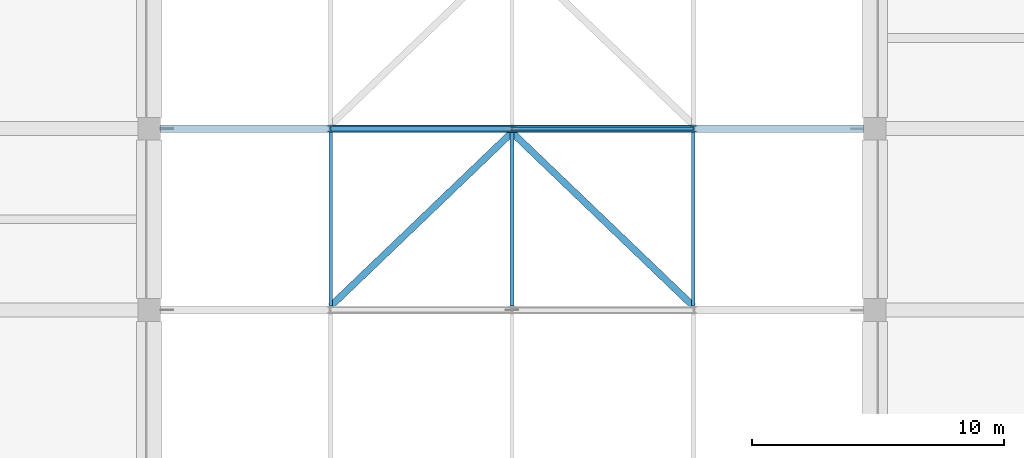
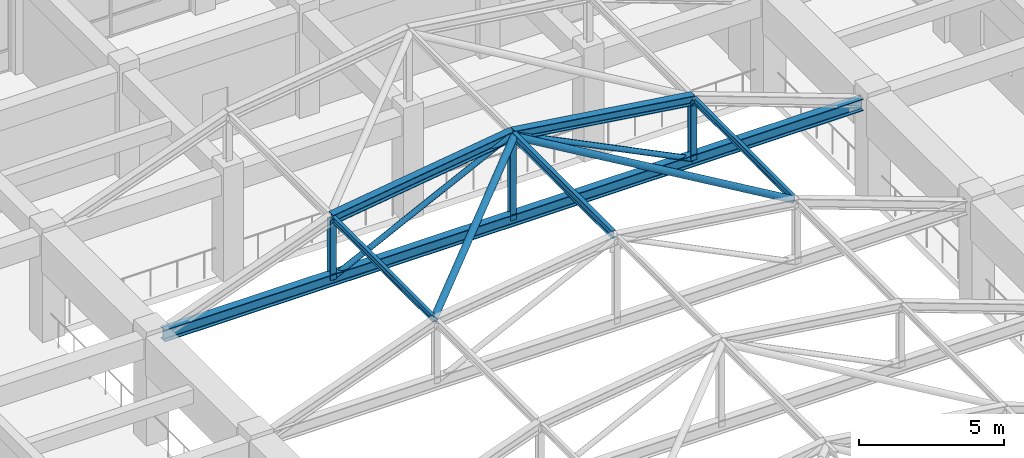
# One storey, part 41 of 75: 12 members, 1 beam.
"""IFC4 building model written with IfcOpenShell, lengths in metres."""

from ifc_helpers import new_model, si_unit, direction, frame, origin, origin_2d, place, context, subcontext, project, spatial, hollow_circle, i_section, extrude, material, material_profile, profile_set, type_object, element, save


model = new_model("IFC4")

# Units and contexts
model_context = context("Model", 3, precision=1e-05, world=origin(), true_north=direction((0.0, 1.0)))
body_context = subcontext(model_context, "Body", "Model", "MODEL_VIEW")
ifc_project = project(units=[si_unit("LENGTHUNIT", "METRE"), si_unit("AREAUNIT", "SQUARE_METRE"), si_unit("VOLUMEUNIT", "CUBIC_METRE"), si_unit("PLANEANGLEUNIT", "RADIAN"), si_unit("MASSUNIT", "GRAM", prefix="KILO")], contexts=[model_context])

# Site, building, storey
site_placement = place(None, origin())
site = spatial("IfcSite", under=ifc_project, at=site_placement, CompositionType="ELEMENT")
building_placement = place(site_placement, origin())
building = spatial("IfcBuilding", under=site, at=building_placement, Name="Cendaluz Park School", CompositionType="ELEMENT")
storey_placement = place(building_placement, frame((0.0, 0.0, 4.800048828125)))
storey = spatial("IfcBuildingStorey", under=building, at=storey_placement, Name="L01", CompositionType="ELEMENT", Elevation=4.800048828125)

# Beam
ifc_material = material(Name="Steel S355", Category="steel")
ifc_material_profile_1 = material_profile(ifc_material, i_section(OverallWidth=0.300048828125, OverallDepth=0.5, WebThickness=0.014892578125, FlangeThickness=0.028076171875, FilletRadius=0.027099609375, at=origin_2d()), Name="HEB 500", Category="steel")
ifc_profile_set_1 = profile_set([ifc_material_profile_1], Name="Steel S355")
beam_type = type_object("IfcBeamType", Name="BM-ST01", PredefinedType="BEAM", material=ifc_profile_set_1)
beam_placement = place(storey_placement, frame((137.25, 93.60009765625, 4.14990234375), z_axis=(1.0, 0.0, 0.0), x_axis=(0.0, 1.0, 0.0)))
element("IfcBeam", 1, at=beam_placement, inside=storey, type_object=beam_type, Name="BM-L01-BMST01-0534", PredefinedType="BEAM", context=body_context, shape_type="SweptSolid", body=[
    extrude(i_section(OverallWidth=0.300048828125, OverallDepth=0.5, WebThickness=0.014892578125, FlangeThickness=0.028076171875, FilletRadius=0.027099609375, at=origin_2d()), origin(), (0.0, 0.0, 1.0), 27.89990234375),
])

# Members
ifc_material_profile_2 = material_profile(ifc_material, i_section(OverallWidth=0.300048828125, OverallDepth=0.39990234375, WebThickness=0.013916015625, FlangeThickness=0.02392578125, FilletRadius=0.027099609375, at=origin_2d()), Name="HEB 400", Category="steel")
ifc_profile_set_2 = profile_set([ifc_material_profile_2], Name="Steel S355")
member_type_1 = type_object("IfcMemberType", Name="MB-CH01", PredefinedType="CHORD", material=ifc_profile_set_2)
for number, where, z_axis, x_axis, name in (
    (2, (144.0, 93.60009765625, 6.68994140625), (0.990113333567, 0.0, 0.140269692708), (0.0, 1.0, 0.0), "MB-L01-MBCH01-0132"),
    (3, (151.199951171875, 93.60009765625, 7.7099609375), (0.990113333567, 0.0, -0.140269692708), (0.0, 1.0, 0.0), "MB-L01-MBCH01-0133"),
):
    element("IfcMember", number, at=place(storey_placement, frame(where, z_axis=z_axis, x_axis=x_axis)), inside=storey, type_object=member_type_1, Name=name, PredefinedType="CHORD", context=body_context, shape_type="SweptSolid", body=[
        extrude(i_section(OverallWidth=0.300048828125, OverallDepth=0.39990234375, WebThickness=0.013916015625, FlangeThickness=0.02392578125, FilletRadius=0.027099609375, at=origin_2d()), origin(), (0.0, 0.0, 1.0), 7.271728515625),
    ])
ifc_material_profile_3 = material_profile(ifc_material, i_section(OverallWidth=0.135009765625, OverallDepth=0.27001953125, WebThickness=0.007080078125, FlangeThickness=0.010009765625, FilletRadius=0.014892578125, at=origin_2d()), Name="IPE 270", Category="steel")
ifc_profile_set_3 = profile_set([ifc_material_profile_3], Name="Steel S355")
member_type_2 = type_object("IfcMemberType", Name="MB-PR01", PredefinedType="PURLIN", material=ifc_profile_set_3)
for number, where, z_axis, x_axis, name in (
    (4, (144.0, 86.550048828125, 6.73486328125), (0.0, 1.0, 0.0), (-1.0, 0.0, 0.0), "MB-L01-MBPR01-0165"),
    (5, (158.39990234375, 86.550048828125, 6.73486328125), (0.0, 1.0, 0.0), (-1.0, 0.0, 0.0), "MB-L01-MBPR01-0167"),
):
    element("IfcMember", number, at=place(storey_placement, frame(where, z_axis=z_axis, x_axis=x_axis)), inside=storey, type_object=member_type_2, Name=name, PredefinedType="PURLIN", context=body_context, shape_type="SweptSolid", body=[
        extrude(i_section(OverallWidth=0.135009765625, OverallDepth=0.27001953125, WebThickness=0.007080078125, FlangeThickness=0.010009765625, FilletRadius=0.014892578125, at=origin_2d()), origin(), (0.0, 0.0, 1.0), 6.89990234375),
    ])
ifc_material_profile_4 = material_profile(ifc_material, i_section(OverallWidth=0.159912109375, OverallDepth=0.330078125, WebThickness=0.008056640625, FlangeThickness=0.011962890625, FilletRadius=0.01806640625, at=origin_2d()), Name="IPE 330", Category="steel")
ifc_profile_set_4 = profile_set([ifc_material_profile_4], Name="Steel S355")
member_type_3 = type_object("IfcMemberType", Name="MB-PR02", PredefinedType="PURLIN", material=ifc_profile_set_4)
member_1_placement = place(storey_placement, frame((151.199951171875, 86.550048828125, 7.73486328125), z_axis=(0.0, 1.0, 0.0), x_axis=(-1.0, 0.0, 0.0)))
element("IfcMember", 6, at=member_1_placement, inside=storey, type_object=member_type_3, Name="MB-L01-MBPR02-0166", PredefinedType="PURLIN", context=body_context, shape_type="SweptSolid", body=[
    extrude(i_section(OverallWidth=0.159912109375, OverallDepth=0.330078125, WebThickness=0.008056640625, FlangeThickness=0.011962890625, FilletRadius=0.01806640625, at=origin_2d()), origin(), (0.0, 0.0, 1.0), 6.89990234375),
])
ifc_material_profile_5 = material_profile(ifc_material, hollow_circle(Radius=0.136474609375, WallThickness=0.011962890625, at=origin_2d()), Name="CHS 273x12", Category="steel")
ifc_profile_set_5 = profile_set([ifc_material_profile_5], Name="Steel S355")
member_type_4 = type_object("IfcMemberType", Name="MBR-01", PredefinedType="BRACE", material=ifc_profile_set_5)
for number, where, z_axis, x_axis, name in (
    (7, (144.0, 86.550048828125, 6.68994140625), (0.718243342444, 0.688311462621, 0.101753778601), (-0.691902704581, 0.721990752983, 0.0), "MB-L01-MBBR01-0168"),
    (8, (158.39990234375, 86.550048828125, 6.68994140625), (-0.718243342444, 0.688311462621, 0.101753778601), (-0.691902704581, -0.721990752983, 0.0), "MB-L01-MBBR01-0169"),
):
    element("IfcMember", number, at=place(storey_placement, frame(where, z_axis=z_axis, x_axis=x_axis)), inside=storey, type_object=member_type_4, Name=name, PredefinedType="BRACE", context=body_context, shape_type="SweptSolid", body=[
        extrude(hollow_circle(Radius=0.136474609375, WallThickness=0.011962890625, at=origin_2d()), origin(), (0.0, 0.0, 1.0), 10.0244140625),
    ])
ifc_material_profile_6 = material_profile(ifc_material, hollow_circle(Radius=0.109619140625, WallThickness=0.010009765625, at=origin_2d()), Name="CHS 219x10", Category="steel")
ifc_profile_set_6 = profile_set([ifc_material_profile_6], Name="Steel S355")
member_type_5 = type_object("IfcMemberType", Name="MBR-02", PredefinedType="BRACE", material=ifc_profile_set_6)
for number, where, z_axis, x_axis, name in (
    (9, (144.0, 93.60009765625, 4.14990234375), (0.896406248188, 0.0, 0.443233390224), (0.0, 1.0, 0.0), "MB-L01-MBBR02-0138"),
    (10, (158.39990234375, 93.60009765625, 4.14990234375), (-0.896406248188, 0.0, 0.443233390224), (0.0, -1.0, 0.0), "MB-L01-MBBR02-0139"),
):
    element("IfcMember", number, at=place(storey_placement, frame(where, z_axis=z_axis, x_axis=x_axis)), inside=storey, type_object=member_type_5, Name=name, PredefinedType="BRACE", context=body_context, shape_type="SweptSolid", body=[
        extrude(hollow_circle(Radius=0.109619140625, WallThickness=0.010009765625, at=origin_2d()), origin(), (0.0, 0.0, 1.0), 8.031982421875),
    ])
ifc_material_profile_7 = material_profile(ifc_material, i_section(OverallWidth=0.239990234375, OverallDepth=0.22998046875, WebThickness=0.008056640625, FlangeThickness=0.011962890625, FilletRadius=0.02099609375, at=origin_2d()), Name="HEA 240", Category="steel")
ifc_profile_set_7 = profile_set([ifc_material_profile_7], Name="Steel S355")
member_type_6 = type_object("IfcMemberType", Name="MST-01", PredefinedType="STRUT", material=ifc_profile_set_7)
member_2_placement = place(storey_placement, frame((144.0, 93.60009765625, 4.14990234375), z_axis=(0.0, 0.0, 1.0), x_axis=(1.0, 0.0, 0.0)))
element("IfcMember", 11, at=member_2_placement, inside=storey, type_object=member_type_6, Name="MB-L01-MBST01-0135", PredefinedType="STRUT", context=body_context, shape_type="SweptSolid", body=[
    extrude(i_section(OverallWidth=0.239990234375, OverallDepth=0.22998046875, WebThickness=0.008056640625, FlangeThickness=0.011962890625, FilletRadius=0.02099609375, at=origin_2d()), origin(), (0.0, 0.0, 1.0), 2.5400390625),
])
member_3_placement = place(storey_placement, frame((151.199951171875, 93.60009765625, 4.14990234375), z_axis=(0.0, 0.0, 1.0), x_axis=(1.0, 0.0, 0.0)))
element("IfcMember", 12, at=member_3_placement, inside=storey, type_object=member_type_6, Name="MB-L01-MBST01-0136", PredefinedType="STRUT", context=body_context, shape_type="SweptSolid", body=[
    extrude(i_section(OverallWidth=0.239990234375, OverallDepth=0.22998046875, WebThickness=0.008056640625, FlangeThickness=0.011962890625, FilletRadius=0.02099609375, at=origin_2d()), origin(), (0.0, 0.0, 1.0), 3.56005859375),
])
member_4_placement = place(storey_placement, frame((158.39990234375, 93.60009765625, 4.14990234375), z_axis=(0.0, 0.0, 1.0), x_axis=(1.0, 0.0, 0.0)))
element("IfcMember", 13, at=member_4_placement, inside=storey, type_object=member_type_6, Name="MB-L01-MBST01-0137", PredefinedType="STRUT", context=body_context, shape_type="SweptSolid", body=[
    extrude(i_section(OverallWidth=0.239990234375, OverallDepth=0.22998046875, WebThickness=0.008056640625, FlangeThickness=0.011962890625, FilletRadius=0.02099609375, at=origin_2d()), origin(), (0.0, 0.0, 1.0), 2.5400390625),
])

save(model, "model.ifc")
